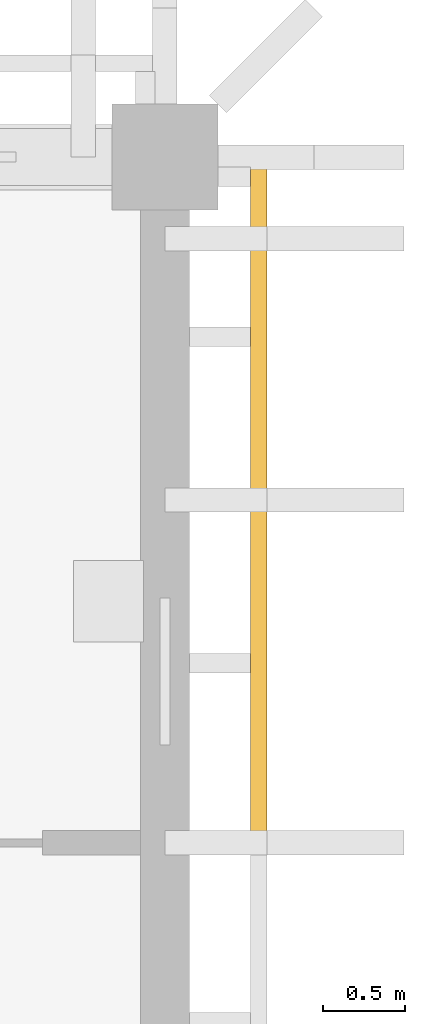
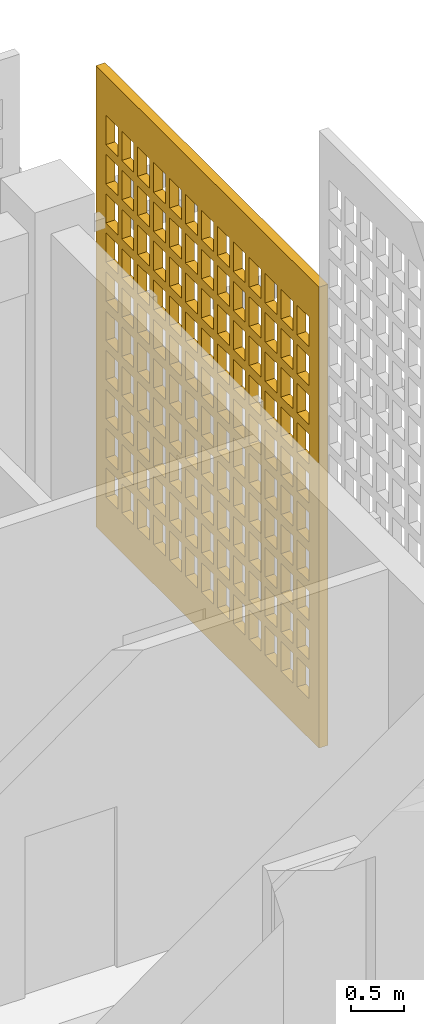
# One storey, part 21 of 23: 1 shading device, 1 opening.
"""IFC4 building model written with IfcOpenShell, lengths in metres."""

from ifc_helpers import new_model, si_unit, direction, frame, origin, origin_2d, place, context, subcontext, project, spatial, rectangle, extrude, material, layer, layer_set, type_object, element, save


model = new_model("IFC4")

# Units and contexts
model_context = context("Model", 3, precision=1e-05, world=origin(), true_north=direction((0.0, 1.0)))
body_context = subcontext(model_context, "Body", "Model", "MODEL_VIEW")
ifc_project = project(units=[si_unit("LENGTHUNIT", "METRE"), si_unit("AREAUNIT", "SQUARE_METRE"), si_unit("VOLUMEUNIT", "CUBIC_METRE"), si_unit("PLANEANGLEUNIT", "RADIAN"), si_unit("MASSUNIT", "GRAM", prefix="KILO")], contexts=[model_context])

# Site, building, storey
site_placement = place(None, origin())
site = spatial("IfcSite", under=ifc_project, at=site_placement, CompositionType="ELEMENT")
building_placement = place(site_placement, origin())
building = spatial("IfcBuilding", under=site, at=building_placement, Name="Rulbaag Community and Learning Centre", CompositionType="ELEMENT")
storey_placement = place(building_placement, frame((0.0, 0.0, 64.800048828125)))
storey = spatial("IfcBuildingStorey", under=building, at=storey_placement, Name="L17", CompositionType="ELEMENT", Elevation=64.800048828125)

# Shading device, opening
ifc_material = material(Name="Concrete M40", Category="concrete")
ifc_layer = layer(ifc_material, 0.10009765625)
ifc_layer_set = layer_set([ifc_layer], Name="JC-4")
shading_device_type = type_object("IfcShadingDeviceType", Name="JC-4", PredefinedType="SHUTTER", material=ifc_layer_set)
shading_device_placement = place(storey_placement, frame((168.574951171875, 115.5, 0.0), z_axis=(0.0, 0.0, 1.0), x_axis=(1.0, 0.0, 0.0)))
shading_device = element("IfcShadingDevice", 1, at=shading_device_placement, inside=storey, type_object=shading_device_type, Name="Jaali lantern screen", PredefinedType="SHUTTER", context=body_context, shape_type="SweptSolid", body=[
    extrude(rectangle(XDim=0.10009765625, YDim=4.199951171875, at=origin_2d()), origin(), (0.0, 0.0, 1.0), 5.300048828125),
])
opening_placement = place(shading_device_placement, origin())
element("IfcOpeningElement", 2, at=opening_placement, cuts=shading_device, Name="Perforation JC4", PredefinedType="OPENING", context=body_context, shape_type="SweptSolid", body=[
    extrude(rectangle(XDim=0.22509765625, YDim=0.340087890625, at=origin_2d()), frame((-0.06005859375, -1.800048828125, 0.625), z_axis=(1.0, 0.0, 0.0), x_axis=(0.0, 1.0, 0.0)), (0.0, 0.0, 1.0), 0.1201171875),
    extrude(rectangle(XDim=0.22509765625, YDim=0.340087890625, at=origin_2d()), frame((-0.06005859375, -1.5, 0.625), z_axis=(1.0, 0.0, 0.0), x_axis=(0.0, 1.0, 0.0)), (0.0, 0.0, 1.0), 0.1201171875),
    extrude(rectangle(XDim=0.22509765625, YDim=0.340087890625, at=origin_2d()), frame((-0.06005859375, -1.199951171875, 0.625), z_axis=(1.0, 0.0, 0.0), x_axis=(0.0, 1.0, 0.0)), (0.0, 0.0, 1.0), 0.1201171875),
    extrude(rectangle(XDim=0.22509765625, YDim=0.340087890625, at=origin_2d()), frame((-0.06005859375, -0.89990234375, 0.625), z_axis=(1.0, 0.0, 0.0), x_axis=(0.0, 1.0, 0.0)), (0.0, 0.0, 1.0), 0.1201171875),
    extrude(rectangle(XDim=0.22509765625, YDim=0.340087890625, at=origin_2d()), frame((-0.06005859375, -0.60009765625, 0.625), z_axis=(1.0, 0.0, 0.0), x_axis=(0.0, 1.0, 0.0)), (0.0, 0.0, 1.0), 0.1201171875),
    extrude(rectangle(XDim=0.22509765625, YDim=0.340087890625, at=origin_2d()), frame((-0.06005859375, -0.300048828125, 0.625), z_axis=(1.0, 0.0, 0.0), x_axis=(0.0, 1.0, 0.0)), (0.0, 0.0, 1.0), 0.1201171875),
    extrude(rectangle(XDim=0.22509765625, YDim=0.340087890625, at=origin_2d()), frame((-0.06005859375, 0.0, 0.625), z_axis=(1.0, 0.0, 0.0), x_axis=(0.0, 1.0, 0.0)), (0.0, 0.0, 1.0), 0.1201171875),
    extrude(rectangle(XDim=0.22509765625, YDim=0.340087890625, at=origin_2d()), frame((-0.06005859375, 0.300048828125, 0.625), z_axis=(1.0, 0.0, 0.0), x_axis=(0.0, 1.0, 0.0)), (0.0, 0.0, 1.0), 0.1201171875),
    extrude(rectangle(XDim=0.22509765625, YDim=0.340087890625, at=origin_2d()), frame((-0.06005859375, 0.60009765625, 0.625), z_axis=(1.0, 0.0, 0.0), x_axis=(0.0, 1.0, 0.0)), (0.0, 0.0, 1.0), 0.1201171875),
    extrude(rectangle(XDim=0.22509765625, YDim=0.340087890625, at=origin_2d()), frame((-0.06005859375, 0.89990234375, 0.625), z_axis=(1.0, 0.0, 0.0), x_axis=(0.0, 1.0, 0.0)), (0.0, 0.0, 1.0), 0.1201171875),
    extrude(rectangle(XDim=0.22509765625, YDim=0.340087890625, at=origin_2d()), frame((-0.06005859375, 1.199951171875, 0.625), z_axis=(1.0, 0.0, 0.0), x_axis=(0.0, 1.0, 0.0)), (0.0, 0.0, 1.0), 0.1201171875),
    extrude(rectangle(XDim=0.22509765625, YDim=0.340087890625, at=origin_2d()), frame((-0.06005859375, 1.5, 0.625), z_axis=(1.0, 0.0, 0.0), x_axis=(0.0, 1.0, 0.0)), (0.0, 0.0, 1.0), 0.1201171875),
    extrude(rectangle(XDim=0.22509765625, YDim=0.340087890625, at=origin_2d()), frame((-0.06005859375, 1.800048828125, 0.625), z_axis=(1.0, 0.0, 0.0), x_axis=(0.0, 1.0, 0.0)), (0.0, 0.0, 1.0), 0.1201171875),
    extrude(rectangle(XDim=0.22509765625, YDim=0.340087890625, at=origin_2d()), frame((-0.06005859375, -1.800048828125, 1.074951171875), z_axis=(1.0, 0.0, 0.0), x_axis=(0.0, 1.0, 0.0)), (0.0, 0.0, 1.0), 0.1201171875),
    extrude(rectangle(XDim=0.22509765625, YDim=0.340087890625, at=origin_2d()), frame((-0.06005859375, -1.5, 1.074951171875), z_axis=(1.0, 0.0, 0.0), x_axis=(0.0, 1.0, 0.0)), (0.0, 0.0, 1.0), 0.1201171875),
    extrude(rectangle(XDim=0.22509765625, YDim=0.340087890625, at=origin_2d()), frame((-0.06005859375, -1.199951171875, 1.074951171875), z_axis=(1.0, 0.0, 0.0), x_axis=(0.0, 1.0, 0.0)), (0.0, 0.0, 1.0), 0.1201171875),
    extrude(rectangle(XDim=0.22509765625, YDim=0.340087890625, at=origin_2d()), frame((-0.06005859375, -0.89990234375, 1.074951171875), z_axis=(1.0, 0.0, 0.0), x_axis=(0.0, 1.0, 0.0)), (0.0, 0.0, 1.0), 0.1201171875),
    extrude(rectangle(XDim=0.22509765625, YDim=0.340087890625, at=origin_2d()), frame((-0.06005859375, -0.60009765625, 1.074951171875), z_axis=(1.0, 0.0, 0.0), x_axis=(0.0, 1.0, 0.0)), (0.0, 0.0, 1.0), 0.1201171875),
    extrude(rectangle(XDim=0.22509765625, YDim=0.340087890625, at=origin_2d()), frame((-0.06005859375, -0.300048828125, 1.074951171875), z_axis=(1.0, 0.0, 0.0), x_axis=(0.0, 1.0, 0.0)), (0.0, 0.0, 1.0), 0.1201171875),
    extrude(rectangle(XDim=0.22509765625, YDim=0.340087890625, at=origin_2d()), frame((-0.06005859375, 0.0, 1.074951171875), z_axis=(1.0, 0.0, 0.0), x_axis=(0.0, 1.0, 0.0)), (0.0, 0.0, 1.0), 0.1201171875),
    extrude(rectangle(XDim=0.22509765625, YDim=0.340087890625, at=origin_2d()), frame((-0.06005859375, 0.300048828125, 1.074951171875), z_axis=(1.0, 0.0, 0.0), x_axis=(0.0, 1.0, 0.0)), (0.0, 0.0, 1.0), 0.1201171875),
    extrude(rectangle(XDim=0.22509765625, YDim=0.340087890625, at=origin_2d()), frame((-0.06005859375, 0.60009765625, 1.074951171875), z_axis=(1.0, 0.0, 0.0), x_axis=(0.0, 1.0, 0.0)), (0.0, 0.0, 1.0), 0.1201171875),
    extrude(rectangle(XDim=0.22509765625, YDim=0.340087890625, at=origin_2d()), frame((-0.06005859375, 0.89990234375, 1.074951171875), z_axis=(1.0, 0.0, 0.0), x_axis=(0.0, 1.0, 0.0)), (0.0, 0.0, 1.0), 0.1201171875),
    extrude(rectangle(XDim=0.22509765625, YDim=0.340087890625, at=origin_2d()), frame((-0.06005859375, 1.199951171875, 1.074951171875), z_axis=(1.0, 0.0, 0.0), x_axis=(0.0, 1.0, 0.0)), (0.0, 0.0, 1.0), 0.1201171875),
    extrude(rectangle(XDim=0.22509765625, YDim=0.340087890625, at=origin_2d()), frame((-0.06005859375, 1.5, 1.074951171875), z_axis=(1.0, 0.0, 0.0), x_axis=(0.0, 1.0, 0.0)), (0.0, 0.0, 1.0), 0.1201171875),
    extrude(rectangle(XDim=0.22509765625, YDim=0.340087890625, at=origin_2d()), frame((-0.06005859375, 1.800048828125, 1.074951171875), z_axis=(1.0, 0.0, 0.0), x_axis=(0.0, 1.0, 0.0)), (0.0, 0.0, 1.0), 0.1201171875),
    extrude(rectangle(XDim=0.22509765625, YDim=0.340087890625, at=origin_2d()), frame((-0.06005859375, -1.800048828125, 1.52490234375), z_axis=(1.0, 0.0, 0.0), x_axis=(0.0, 1.0, 0.0)), (0.0, 0.0, 1.0), 0.1201171875),
    extrude(rectangle(XDim=0.22509765625, YDim=0.340087890625, at=origin_2d()), frame((-0.06005859375, -1.5, 1.52490234375), z_axis=(1.0, 0.0, 0.0), x_axis=(0.0, 1.0, 0.0)), (0.0, 0.0, 1.0), 0.1201171875),
    extrude(rectangle(XDim=0.22509765625, YDim=0.340087890625, at=origin_2d()), frame((-0.06005859375, -1.199951171875, 1.52490234375), z_axis=(1.0, 0.0, 0.0), x_axis=(0.0, 1.0, 0.0)), (0.0, 0.0, 1.0), 0.1201171875),
    extrude(rectangle(XDim=0.22509765625, YDim=0.340087890625, at=origin_2d()), frame((-0.06005859375, -0.89990234375, 1.52490234375), z_axis=(1.0, 0.0, 0.0), x_axis=(0.0, 1.0, 0.0)), (0.0, 0.0, 1.0), 0.1201171875),
    extrude(rectangle(XDim=0.22509765625, YDim=0.340087890625, at=origin_2d()), frame((-0.06005859375, -0.60009765625, 1.52490234375), z_axis=(1.0, 0.0, 0.0), x_axis=(0.0, 1.0, 0.0)), (0.0, 0.0, 1.0), 0.1201171875),
    extrude(rectangle(XDim=0.22509765625, YDim=0.340087890625, at=origin_2d()), frame((-0.06005859375, -0.300048828125, 1.52490234375), z_axis=(1.0, 0.0, 0.0), x_axis=(0.0, 1.0, 0.0)), (0.0, 0.0, 1.0), 0.1201171875),
    extrude(rectangle(XDim=0.22509765625, YDim=0.340087890625, at=origin_2d()), frame((-0.06005859375, 0.0, 1.52490234375), z_axis=(1.0, 0.0, 0.0), x_axis=(0.0, 1.0, 0.0)), (0.0, 0.0, 1.0), 0.1201171875),
    extrude(rectangle(XDim=0.22509765625, YDim=0.340087890625, at=origin_2d()), frame((-0.06005859375, 0.300048828125, 1.52490234375), z_axis=(1.0, 0.0, 0.0), x_axis=(0.0, 1.0, 0.0)), (0.0, 0.0, 1.0), 0.1201171875),
    extrude(rectangle(XDim=0.22509765625, YDim=0.340087890625, at=origin_2d()), frame((-0.06005859375, 0.60009765625, 1.52490234375), z_axis=(1.0, 0.0, 0.0), x_axis=(0.0, 1.0, 0.0)), (0.0, 0.0, 1.0), 0.1201171875),
    extrude(rectangle(XDim=0.22509765625, YDim=0.340087890625, at=origin_2d()), frame((-0.06005859375, 0.89990234375, 1.52490234375), z_axis=(1.0, 0.0, 0.0), x_axis=(0.0, 1.0, 0.0)), (0.0, 0.0, 1.0), 0.1201171875),
    extrude(rectangle(XDim=0.22509765625, YDim=0.340087890625, at=origin_2d()), frame((-0.06005859375, 1.199951171875, 1.52490234375), z_axis=(1.0, 0.0, 0.0), x_axis=(0.0, 1.0, 0.0)), (0.0, 0.0, 1.0), 0.1201171875),
    extrude(rectangle(XDim=0.22509765625, YDim=0.340087890625, at=origin_2d()), frame((-0.06005859375, 1.5, 1.52490234375), z_axis=(1.0, 0.0, 0.0), x_axis=(0.0, 1.0, 0.0)), (0.0, 0.0, 1.0), 0.1201171875),
    extrude(rectangle(XDim=0.22509765625, YDim=0.340087890625, at=origin_2d()), frame((-0.06005859375, 1.800048828125, 1.52490234375), z_axis=(1.0, 0.0, 0.0), x_axis=(0.0, 1.0, 0.0)), (0.0, 0.0, 1.0), 0.1201171875),
    extrude(rectangle(XDim=0.22509765625, YDim=0.340087890625, at=origin_2d()), frame((-0.06005859375, -1.800048828125, 1.97509765625), z_axis=(1.0, 0.0, 0.0), x_axis=(0.0, 1.0, 0.0)), (0.0, 0.0, 1.0), 0.1201171875),
    extrude(rectangle(XDim=0.22509765625, YDim=0.340087890625, at=origin_2d()), frame((-0.06005859375, -1.5, 1.97509765625), z_axis=(1.0, 0.0, 0.0), x_axis=(0.0, 1.0, 0.0)), (0.0, 0.0, 1.0), 0.1201171875),
    extrude(rectangle(XDim=0.22509765625, YDim=0.340087890625, at=origin_2d()), frame((-0.06005859375, -1.199951171875, 1.97509765625), z_axis=(1.0, 0.0, 0.0), x_axis=(0.0, 1.0, 0.0)), (0.0, 0.0, 1.0), 0.1201171875),
    extrude(rectangle(XDim=0.22509765625, YDim=0.340087890625, at=origin_2d()), frame((-0.06005859375, -0.89990234375, 1.97509765625), z_axis=(1.0, 0.0, 0.0), x_axis=(0.0, 1.0, 0.0)), (0.0, 0.0, 1.0), 0.1201171875),
    extrude(rectangle(XDim=0.22509765625, YDim=0.340087890625, at=origin_2d()), frame((-0.06005859375, -0.60009765625, 1.97509765625), z_axis=(1.0, 0.0, 0.0), x_axis=(0.0, 1.0, 0.0)), (0.0, 0.0, 1.0), 0.1201171875),
    extrude(rectangle(XDim=0.22509765625, YDim=0.340087890625, at=origin_2d()), frame((-0.06005859375, -0.300048828125, 1.97509765625), z_axis=(1.0, 0.0, 0.0), x_axis=(0.0, 1.0, 0.0)), (0.0, 0.0, 1.0), 0.1201171875),
    extrude(rectangle(XDim=0.22509765625, YDim=0.340087890625, at=origin_2d()), frame((-0.06005859375, 0.0, 1.97509765625), z_axis=(1.0, 0.0, 0.0), x_axis=(0.0, 1.0, 0.0)), (0.0, 0.0, 1.0), 0.1201171875),
    extrude(rectangle(XDim=0.22509765625, YDim=0.340087890625, at=origin_2d()), frame((-0.06005859375, 0.300048828125, 1.97509765625), z_axis=(1.0, 0.0, 0.0), x_axis=(0.0, 1.0, 0.0)), (0.0, 0.0, 1.0), 0.1201171875),
    extrude(rectangle(XDim=0.22509765625, YDim=0.340087890625, at=origin_2d()), frame((-0.06005859375, 0.60009765625, 1.97509765625), z_axis=(1.0, 0.0, 0.0), x_axis=(0.0, 1.0, 0.0)), (0.0, 0.0, 1.0), 0.1201171875),
    extrude(rectangle(XDim=0.22509765625, YDim=0.340087890625, at=origin_2d()), frame((-0.06005859375, 0.89990234375, 1.97509765625), z_axis=(1.0, 0.0, 0.0), x_axis=(0.0, 1.0, 0.0)), (0.0, 0.0, 1.0), 0.1201171875),
    extrude(rectangle(XDim=0.22509765625, YDim=0.340087890625, at=origin_2d()), frame((-0.06005859375, 1.199951171875, 1.97509765625), z_axis=(1.0, 0.0, 0.0), x_axis=(0.0, 1.0, 0.0)), (0.0, 0.0, 1.0), 0.1201171875),
    extrude(rectangle(XDim=0.22509765625, YDim=0.340087890625, at=origin_2d()), frame((-0.06005859375, 1.5, 1.97509765625), z_axis=(1.0, 0.0, 0.0), x_axis=(0.0, 1.0, 0.0)), (0.0, 0.0, 1.0), 0.1201171875),
    extrude(rectangle(XDim=0.22509765625, YDim=0.340087890625, at=origin_2d()), frame((-0.06005859375, 1.800048828125, 1.97509765625), z_axis=(1.0, 0.0, 0.0), x_axis=(0.0, 1.0, 0.0)), (0.0, 0.0, 1.0), 0.1201171875),
    extrude(rectangle(XDim=0.22509765625, YDim=0.340087890625, at=origin_2d()), frame((-0.06005859375, -1.800048828125, 2.425048828125), z_axis=(1.0, 0.0, 0.0), x_axis=(0.0, 1.0, 0.0)), (0.0, 0.0, 1.0), 0.1201171875),
    extrude(rectangle(XDim=0.22509765625, YDim=0.340087890625, at=origin_2d()), frame((-0.06005859375, -1.5, 2.425048828125), z_axis=(1.0, 0.0, 0.0), x_axis=(0.0, 1.0, 0.0)), (0.0, 0.0, 1.0), 0.1201171875),
    extrude(rectangle(XDim=0.22509765625, YDim=0.340087890625, at=origin_2d()), frame((-0.06005859375, -1.199951171875, 2.425048828125), z_axis=(1.0, 0.0, 0.0), x_axis=(0.0, 1.0, 0.0)), (0.0, 0.0, 1.0), 0.1201171875),
    extrude(rectangle(XDim=0.22509765625, YDim=0.340087890625, at=origin_2d()), frame((-0.06005859375, -0.89990234375, 2.425048828125), z_axis=(1.0, 0.0, 0.0), x_axis=(0.0, 1.0, 0.0)), (0.0, 0.0, 1.0), 0.1201171875),
    extrude(rectangle(XDim=0.22509765625, YDim=0.340087890625, at=origin_2d()), frame((-0.06005859375, -0.60009765625, 2.425048828125), z_axis=(1.0, 0.0, 0.0), x_axis=(0.0, 1.0, 0.0)), (0.0, 0.0, 1.0), 0.1201171875),
    extrude(rectangle(XDim=0.22509765625, YDim=0.340087890625, at=origin_2d()), frame((-0.06005859375, -0.300048828125, 2.425048828125), z_axis=(1.0, 0.0, 0.0), x_axis=(0.0, 1.0, 0.0)), (0.0, 0.0, 1.0), 0.1201171875),
    extrude(rectangle(XDim=0.22509765625, YDim=0.340087890625, at=origin_2d()), frame((-0.06005859375, 0.0, 2.425048828125), z_axis=(1.0, 0.0, 0.0), x_axis=(0.0, 1.0, 0.0)), (0.0, 0.0, 1.0), 0.1201171875),
    extrude(rectangle(XDim=0.22509765625, YDim=0.340087890625, at=origin_2d()), frame((-0.06005859375, 0.300048828125, 2.425048828125), z_axis=(1.0, 0.0, 0.0), x_axis=(0.0, 1.0, 0.0)), (0.0, 0.0, 1.0), 0.1201171875),
    extrude(rectangle(XDim=0.22509765625, YDim=0.340087890625, at=origin_2d()), frame((-0.06005859375, 0.60009765625, 2.425048828125), z_axis=(1.0, 0.0, 0.0), x_axis=(0.0, 1.0, 0.0)), (0.0, 0.0, 1.0), 0.1201171875),
    extrude(rectangle(XDim=0.22509765625, YDim=0.340087890625, at=origin_2d()), frame((-0.06005859375, 0.89990234375, 2.425048828125), z_axis=(1.0, 0.0, 0.0), x_axis=(0.0, 1.0, 0.0)), (0.0, 0.0, 1.0), 0.1201171875),
    extrude(rectangle(XDim=0.22509765625, YDim=0.340087890625, at=origin_2d()), frame((-0.06005859375, 1.199951171875, 2.425048828125), z_axis=(1.0, 0.0, 0.0), x_axis=(0.0, 1.0, 0.0)), (0.0, 0.0, 1.0), 0.1201171875),
    extrude(rectangle(XDim=0.22509765625, YDim=0.340087890625, at=origin_2d()), frame((-0.06005859375, 1.5, 2.425048828125), z_axis=(1.0, 0.0, 0.0), x_axis=(0.0, 1.0, 0.0)), (0.0, 0.0, 1.0), 0.1201171875),
    extrude(rectangle(XDim=0.22509765625, YDim=0.340087890625, at=origin_2d()), frame((-0.06005859375, 1.800048828125, 2.425048828125), z_axis=(1.0, 0.0, 0.0), x_axis=(0.0, 1.0, 0.0)), (0.0, 0.0, 1.0), 0.1201171875),
    extrude(rectangle(XDim=0.22509765625, YDim=0.340087890625, at=origin_2d()), frame((-0.06005859375, -1.800048828125, 2.875), z_axis=(1.0, 0.0, 0.0), x_axis=(0.0, 1.0, 0.0)), (0.0, 0.0, 1.0), 0.1201171875),
    extrude(rectangle(XDim=0.22509765625, YDim=0.340087890625, at=origin_2d()), frame((-0.06005859375, -1.5, 2.875), z_axis=(1.0, 0.0, 0.0), x_axis=(0.0, 1.0, 0.0)), (0.0, 0.0, 1.0), 0.1201171875),
    extrude(rectangle(XDim=0.22509765625, YDim=0.340087890625, at=origin_2d()), frame((-0.06005859375, -1.199951171875, 2.875), z_axis=(1.0, 0.0, 0.0), x_axis=(0.0, 1.0, 0.0)), (0.0, 0.0, 1.0), 0.1201171875),
    extrude(rectangle(XDim=0.22509765625, YDim=0.340087890625, at=origin_2d()), frame((-0.06005859375, -0.89990234375, 2.875), z_axis=(1.0, 0.0, 0.0), x_axis=(0.0, 1.0, 0.0)), (0.0, 0.0, 1.0), 0.1201171875),
    extrude(rectangle(XDim=0.22509765625, YDim=0.340087890625, at=origin_2d()), frame((-0.06005859375, -0.60009765625, 2.875), z_axis=(1.0, 0.0, 0.0), x_axis=(0.0, 1.0, 0.0)), (0.0, 0.0, 1.0), 0.1201171875),
    extrude(rectangle(XDim=0.22509765625, YDim=0.340087890625, at=origin_2d()), frame((-0.06005859375, -0.300048828125, 2.875), z_axis=(1.0, 0.0, 0.0), x_axis=(0.0, 1.0, 0.0)), (0.0, 0.0, 1.0), 0.1201171875),
    extrude(rectangle(XDim=0.22509765625, YDim=0.340087890625, at=origin_2d()), frame((-0.06005859375, 0.0, 2.875), z_axis=(1.0, 0.0, 0.0), x_axis=(0.0, 1.0, 0.0)), (0.0, 0.0, 1.0), 0.1201171875),
    extrude(rectangle(XDim=0.22509765625, YDim=0.340087890625, at=origin_2d()), frame((-0.06005859375, 0.300048828125, 2.875), z_axis=(1.0, 0.0, 0.0), x_axis=(0.0, 1.0, 0.0)), (0.0, 0.0, 1.0), 0.1201171875),
    extrude(rectangle(XDim=0.22509765625, YDim=0.340087890625, at=origin_2d()), frame((-0.06005859375, 0.60009765625, 2.875), z_axis=(1.0, 0.0, 0.0), x_axis=(0.0, 1.0, 0.0)), (0.0, 0.0, 1.0), 0.1201171875),
    extrude(rectangle(XDim=0.22509765625, YDim=0.340087890625, at=origin_2d()), frame((-0.06005859375, 0.89990234375, 2.875), z_axis=(1.0, 0.0, 0.0), x_axis=(0.0, 1.0, 0.0)), (0.0, 0.0, 1.0), 0.1201171875),
    extrude(rectangle(XDim=0.22509765625, YDim=0.340087890625, at=origin_2d()), frame((-0.06005859375, 1.199951171875, 2.875), z_axis=(1.0, 0.0, 0.0), x_axis=(0.0, 1.0, 0.0)), (0.0, 0.0, 1.0), 0.1201171875),
    extrude(rectangle(XDim=0.22509765625, YDim=0.340087890625, at=origin_2d()), frame((-0.06005859375, 1.5, 2.875), z_axis=(1.0, 0.0, 0.0), x_axis=(0.0, 1.0, 0.0)), (0.0, 0.0, 1.0), 0.1201171875),
    extrude(rectangle(XDim=0.22509765625, YDim=0.340087890625, at=origin_2d()), frame((-0.06005859375, 1.800048828125, 2.875), z_axis=(1.0, 0.0, 0.0), x_axis=(0.0, 1.0, 0.0)), (0.0, 0.0, 1.0), 0.1201171875),
    extrude(rectangle(XDim=0.22509765625, YDim=0.340087890625, at=origin_2d()), frame((-0.06005859375, -1.800048828125, 3.324951171875), z_axis=(1.0, 0.0, 0.0), x_axis=(0.0, 1.0, 0.0)), (0.0, 0.0, 1.0), 0.1201171875),
    extrude(rectangle(XDim=0.22509765625, YDim=0.340087890625, at=origin_2d()), frame((-0.06005859375, -1.5, 3.324951171875), z_axis=(1.0, 0.0, 0.0), x_axis=(0.0, 1.0, 0.0)), (0.0, 0.0, 1.0), 0.1201171875),
    extrude(rectangle(XDim=0.22509765625, YDim=0.340087890625, at=origin_2d()), frame((-0.06005859375, -1.199951171875, 3.324951171875), z_axis=(1.0, 0.0, 0.0), x_axis=(0.0, 1.0, 0.0)), (0.0, 0.0, 1.0), 0.1201171875),
    extrude(rectangle(XDim=0.22509765625, YDim=0.340087890625, at=origin_2d()), frame((-0.06005859375, -0.89990234375, 3.324951171875), z_axis=(1.0, 0.0, 0.0), x_axis=(0.0, 1.0, 0.0)), (0.0, 0.0, 1.0), 0.1201171875),
    extrude(rectangle(XDim=0.22509765625, YDim=0.340087890625, at=origin_2d()), frame((-0.06005859375, -0.60009765625, 3.324951171875), z_axis=(1.0, 0.0, 0.0), x_axis=(0.0, 1.0, 0.0)), (0.0, 0.0, 1.0), 0.1201171875),
    extrude(rectangle(XDim=0.22509765625, YDim=0.340087890625, at=origin_2d()), frame((-0.06005859375, -0.300048828125, 3.324951171875), z_axis=(1.0, 0.0, 0.0), x_axis=(0.0, 1.0, 0.0)), (0.0, 0.0, 1.0), 0.1201171875),
    extrude(rectangle(XDim=0.22509765625, YDim=0.340087890625, at=origin_2d()), frame((-0.06005859375, 0.0, 3.324951171875), z_axis=(1.0, 0.0, 0.0), x_axis=(0.0, 1.0, 0.0)), (0.0, 0.0, 1.0), 0.1201171875),
    extrude(rectangle(XDim=0.22509765625, YDim=0.340087890625, at=origin_2d()), frame((-0.06005859375, 0.300048828125, 3.324951171875), z_axis=(1.0, 0.0, 0.0), x_axis=(0.0, 1.0, 0.0)), (0.0, 0.0, 1.0), 0.1201171875),
    extrude(rectangle(XDim=0.22509765625, YDim=0.340087890625, at=origin_2d()), frame((-0.06005859375, 0.60009765625, 3.324951171875), z_axis=(1.0, 0.0, 0.0), x_axis=(0.0, 1.0, 0.0)), (0.0, 0.0, 1.0), 0.1201171875),
    extrude(rectangle(XDim=0.22509765625, YDim=0.340087890625, at=origin_2d()), frame((-0.06005859375, 0.89990234375, 3.324951171875), z_axis=(1.0, 0.0, 0.0), x_axis=(0.0, 1.0, 0.0)), (0.0, 0.0, 1.0), 0.1201171875),
    extrude(rectangle(XDim=0.22509765625, YDim=0.340087890625, at=origin_2d()), frame((-0.06005859375, 1.199951171875, 3.324951171875), z_axis=(1.0, 0.0, 0.0), x_axis=(0.0, 1.0, 0.0)), (0.0, 0.0, 1.0), 0.1201171875),
    extrude(rectangle(XDim=0.22509765625, YDim=0.340087890625, at=origin_2d()), frame((-0.06005859375, 1.5, 3.324951171875), z_axis=(1.0, 0.0, 0.0), x_axis=(0.0, 1.0, 0.0)), (0.0, 0.0, 1.0), 0.1201171875),
    extrude(rectangle(XDim=0.22509765625, YDim=0.340087890625, at=origin_2d()), frame((-0.06005859375, 1.800048828125, 3.324951171875), z_axis=(1.0, 0.0, 0.0), x_axis=(0.0, 1.0, 0.0)), (0.0, 0.0, 1.0), 0.1201171875),
    extrude(rectangle(XDim=0.22509765625, YDim=0.340087890625, at=origin_2d()), frame((-0.06005859375, -1.800048828125, 3.77490234375), z_axis=(1.0, 0.0, 0.0), x_axis=(0.0, 1.0, 0.0)), (0.0, 0.0, 1.0), 0.1201171875),
    extrude(rectangle(XDim=0.22509765625, YDim=0.340087890625, at=origin_2d()), frame((-0.06005859375, -1.5, 3.77490234375), z_axis=(1.0, 0.0, 0.0), x_axis=(0.0, 1.0, 0.0)), (0.0, 0.0, 1.0), 0.1201171875),
    extrude(rectangle(XDim=0.22509765625, YDim=0.340087890625, at=origin_2d()), frame((-0.06005859375, -1.199951171875, 3.77490234375), z_axis=(1.0, 0.0, 0.0), x_axis=(0.0, 1.0, 0.0)), (0.0, 0.0, 1.0), 0.1201171875),
    extrude(rectangle(XDim=0.22509765625, YDim=0.340087890625, at=origin_2d()), frame((-0.06005859375, -0.89990234375, 3.77490234375), z_axis=(1.0, 0.0, 0.0), x_axis=(0.0, 1.0, 0.0)), (0.0, 0.0, 1.0), 0.1201171875),
    extrude(rectangle(XDim=0.22509765625, YDim=0.340087890625, at=origin_2d()), frame((-0.06005859375, -0.60009765625, 3.77490234375), z_axis=(1.0, 0.0, 0.0), x_axis=(0.0, 1.0, 0.0)), (0.0, 0.0, 1.0), 0.1201171875),
    extrude(rectangle(XDim=0.22509765625, YDim=0.340087890625, at=origin_2d()), frame((-0.06005859375, -0.300048828125, 3.77490234375), z_axis=(1.0, 0.0, 0.0), x_axis=(0.0, 1.0, 0.0)), (0.0, 0.0, 1.0), 0.1201171875),
    extrude(rectangle(XDim=0.22509765625, YDim=0.340087890625, at=origin_2d()), frame((-0.06005859375, 0.0, 3.77490234375), z_axis=(1.0, 0.0, 0.0), x_axis=(0.0, 1.0, 0.0)), (0.0, 0.0, 1.0), 0.1201171875),
    extrude(rectangle(XDim=0.22509765625, YDim=0.340087890625, at=origin_2d()), frame((-0.06005859375, 0.300048828125, 3.77490234375), z_axis=(1.0, 0.0, 0.0), x_axis=(0.0, 1.0, 0.0)), (0.0, 0.0, 1.0), 0.1201171875),
    extrude(rectangle(XDim=0.22509765625, YDim=0.340087890625, at=origin_2d()), frame((-0.06005859375, 0.60009765625, 3.77490234375), z_axis=(1.0, 0.0, 0.0), x_axis=(0.0, 1.0, 0.0)), (0.0, 0.0, 1.0), 0.1201171875),
    extrude(rectangle(XDim=0.22509765625, YDim=0.340087890625, at=origin_2d()), frame((-0.06005859375, 0.89990234375, 3.77490234375), z_axis=(1.0, 0.0, 0.0), x_axis=(0.0, 1.0, 0.0)), (0.0, 0.0, 1.0), 0.1201171875),
    extrude(rectangle(XDim=0.22509765625, YDim=0.340087890625, at=origin_2d()), frame((-0.06005859375, 1.199951171875, 3.77490234375), z_axis=(1.0, 0.0, 0.0), x_axis=(0.0, 1.0, 0.0)), (0.0, 0.0, 1.0), 0.1201171875),
    extrude(rectangle(XDim=0.22509765625, YDim=0.340087890625, at=origin_2d()), frame((-0.06005859375, 1.5, 3.77490234375), z_axis=(1.0, 0.0, 0.0), x_axis=(0.0, 1.0, 0.0)), (0.0, 0.0, 1.0), 0.1201171875),
    extrude(rectangle(XDim=0.22509765625, YDim=0.340087890625, at=origin_2d()), frame((-0.06005859375, 1.800048828125, 3.77490234375), z_axis=(1.0, 0.0, 0.0), x_axis=(0.0, 1.0, 0.0)), (0.0, 0.0, 1.0), 0.1201171875),
    extrude(rectangle(XDim=0.22509765625, YDim=0.340087890625, at=origin_2d()), frame((-0.06005859375, -1.800048828125, 4.22509765625), z_axis=(1.0, 0.0, 0.0), x_axis=(0.0, 1.0, 0.0)), (0.0, 0.0, 1.0), 0.1201171875),
    extrude(rectangle(XDim=0.22509765625, YDim=0.340087890625, at=origin_2d()), frame((-0.06005859375, -1.5, 4.22509765625), z_axis=(1.0, 0.0, 0.0), x_axis=(0.0, 1.0, 0.0)), (0.0, 0.0, 1.0), 0.1201171875),
    extrude(rectangle(XDim=0.22509765625, YDim=0.340087890625, at=origin_2d()), frame((-0.06005859375, -1.199951171875, 4.22509765625), z_axis=(1.0, 0.0, 0.0), x_axis=(0.0, 1.0, 0.0)), (0.0, 0.0, 1.0), 0.1201171875),
    extrude(rectangle(XDim=0.22509765625, YDim=0.340087890625, at=origin_2d()), frame((-0.06005859375, -0.89990234375, 4.22509765625), z_axis=(1.0, 0.0, 0.0), x_axis=(0.0, 1.0, 0.0)), (0.0, 0.0, 1.0), 0.1201171875),
    extrude(rectangle(XDim=0.22509765625, YDim=0.340087890625, at=origin_2d()), frame((-0.06005859375, -0.60009765625, 4.22509765625), z_axis=(1.0, 0.0, 0.0), x_axis=(0.0, 1.0, 0.0)), (0.0, 0.0, 1.0), 0.1201171875),
    extrude(rectangle(XDim=0.22509765625, YDim=0.340087890625, at=origin_2d()), frame((-0.06005859375, -0.300048828125, 4.22509765625), z_axis=(1.0, 0.0, 0.0), x_axis=(0.0, 1.0, 0.0)), (0.0, 0.0, 1.0), 0.1201171875),
    extrude(rectangle(XDim=0.22509765625, YDim=0.340087890625, at=origin_2d()), frame((-0.06005859375, 0.0, 4.22509765625), z_axis=(1.0, 0.0, 0.0), x_axis=(0.0, 1.0, 0.0)), (0.0, 0.0, 1.0), 0.1201171875),
    extrude(rectangle(XDim=0.22509765625, YDim=0.340087890625, at=origin_2d()), frame((-0.06005859375, 0.300048828125, 4.22509765625), z_axis=(1.0, 0.0, 0.0), x_axis=(0.0, 1.0, 0.0)), (0.0, 0.0, 1.0), 0.1201171875),
    extrude(rectangle(XDim=0.22509765625, YDim=0.340087890625, at=origin_2d()), frame((-0.06005859375, 0.60009765625, 4.22509765625), z_axis=(1.0, 0.0, 0.0), x_axis=(0.0, 1.0, 0.0)), (0.0, 0.0, 1.0), 0.1201171875),
    extrude(rectangle(XDim=0.22509765625, YDim=0.340087890625, at=origin_2d()), frame((-0.06005859375, 0.89990234375, 4.22509765625), z_axis=(1.0, 0.0, 0.0), x_axis=(0.0, 1.0, 0.0)), (0.0, 0.0, 1.0), 0.1201171875),
    extrude(rectangle(XDim=0.22509765625, YDim=0.340087890625, at=origin_2d()), frame((-0.06005859375, 1.199951171875, 4.22509765625), z_axis=(1.0, 0.0, 0.0), x_axis=(0.0, 1.0, 0.0)), (0.0, 0.0, 1.0), 0.1201171875),
    extrude(rectangle(XDim=0.22509765625, YDim=0.340087890625, at=origin_2d()), frame((-0.06005859375, 1.5, 4.22509765625), z_axis=(1.0, 0.0, 0.0), x_axis=(0.0, 1.0, 0.0)), (0.0, 0.0, 1.0), 0.1201171875),
    extrude(rectangle(XDim=0.22509765625, YDim=0.340087890625, at=origin_2d()), frame((-0.06005859375, 1.800048828125, 4.22509765625), z_axis=(1.0, 0.0, 0.0), x_axis=(0.0, 1.0, 0.0)), (0.0, 0.0, 1.0), 0.1201171875),
    extrude(rectangle(XDim=0.22509765625, YDim=0.340087890625, at=origin_2d()), frame((-0.06005859375, -1.800048828125, 4.675048828125), z_axis=(1.0, 0.0, 0.0), x_axis=(0.0, 1.0, 0.0)), (0.0, 0.0, 1.0), 0.1201171875),
    extrude(rectangle(XDim=0.22509765625, YDim=0.340087890625, at=origin_2d()), frame((-0.06005859375, -1.5, 4.675048828125), z_axis=(1.0, 0.0, 0.0), x_axis=(0.0, 1.0, 0.0)), (0.0, 0.0, 1.0), 0.1201171875),
    extrude(rectangle(XDim=0.22509765625, YDim=0.340087890625, at=origin_2d()), frame((-0.06005859375, -1.199951171875, 4.675048828125), z_axis=(1.0, 0.0, 0.0), x_axis=(0.0, 1.0, 0.0)), (0.0, 0.0, 1.0), 0.1201171875),
    extrude(rectangle(XDim=0.22509765625, YDim=0.340087890625, at=origin_2d()), frame((-0.06005859375, -0.89990234375, 4.675048828125), z_axis=(1.0, 0.0, 0.0), x_axis=(0.0, 1.0, 0.0)), (0.0, 0.0, 1.0), 0.1201171875),
    extrude(rectangle(XDim=0.22509765625, YDim=0.340087890625, at=origin_2d()), frame((-0.06005859375, -0.60009765625, 4.675048828125), z_axis=(1.0, 0.0, 0.0), x_axis=(0.0, 1.0, 0.0)), (0.0, 0.0, 1.0), 0.1201171875),
    extrude(rectangle(XDim=0.22509765625, YDim=0.340087890625, at=origin_2d()), frame((-0.06005859375, -0.300048828125, 4.675048828125), z_axis=(1.0, 0.0, 0.0), x_axis=(0.0, 1.0, 0.0)), (0.0, 0.0, 1.0), 0.1201171875),
    extrude(rectangle(XDim=0.22509765625, YDim=0.340087890625, at=origin_2d()), frame((-0.06005859375, 0.0, 4.675048828125), z_axis=(1.0, 0.0, 0.0), x_axis=(0.0, 1.0, 0.0)), (0.0, 0.0, 1.0), 0.1201171875),
    extrude(rectangle(XDim=0.22509765625, YDim=0.340087890625, at=origin_2d()), frame((-0.06005859375, 0.300048828125, 4.675048828125), z_axis=(1.0, 0.0, 0.0), x_axis=(0.0, 1.0, 0.0)), (0.0, 0.0, 1.0), 0.1201171875),
    extrude(rectangle(XDim=0.22509765625, YDim=0.340087890625, at=origin_2d()), frame((-0.06005859375, 0.60009765625, 4.675048828125), z_axis=(1.0, 0.0, 0.0), x_axis=(0.0, 1.0, 0.0)), (0.0, 0.0, 1.0), 0.1201171875),
    extrude(rectangle(XDim=0.22509765625, YDim=0.340087890625, at=origin_2d()), frame((-0.06005859375, 0.89990234375, 4.675048828125), z_axis=(1.0, 0.0, 0.0), x_axis=(0.0, 1.0, 0.0)), (0.0, 0.0, 1.0), 0.1201171875),
    extrude(rectangle(XDim=0.22509765625, YDim=0.340087890625, at=origin_2d()), frame((-0.06005859375, 1.199951171875, 4.675048828125), z_axis=(1.0, 0.0, 0.0), x_axis=(0.0, 1.0, 0.0)), (0.0, 0.0, 1.0), 0.1201171875),
    extrude(rectangle(XDim=0.22509765625, YDim=0.340087890625, at=origin_2d()), frame((-0.06005859375, 1.5, 4.675048828125), z_axis=(1.0, 0.0, 0.0), x_axis=(0.0, 1.0, 0.0)), (0.0, 0.0, 1.0), 0.1201171875),
    extrude(rectangle(XDim=0.22509765625, YDim=0.340087890625, at=origin_2d()), frame((-0.06005859375, 1.800048828125, 4.675048828125), z_axis=(1.0, 0.0, 0.0), x_axis=(0.0, 1.0, 0.0)), (0.0, 0.0, 1.0), 0.1201171875),
])

save(model, "model.ifc")
